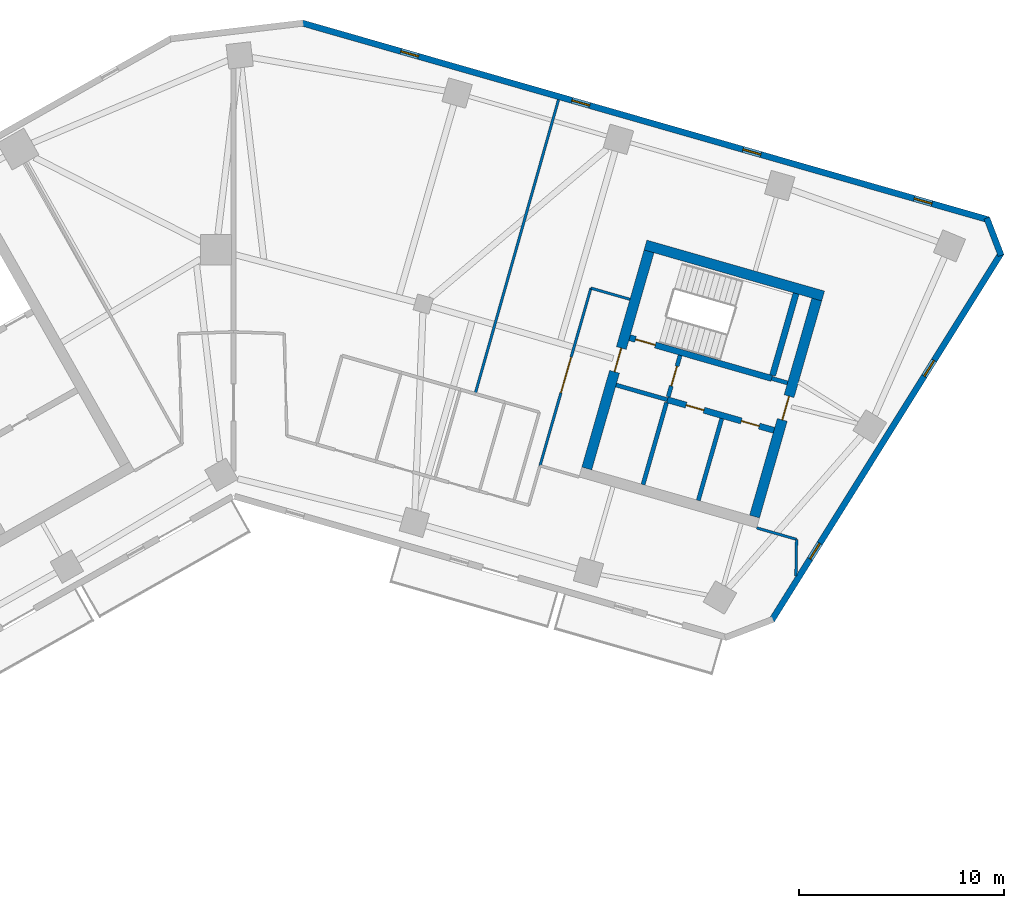
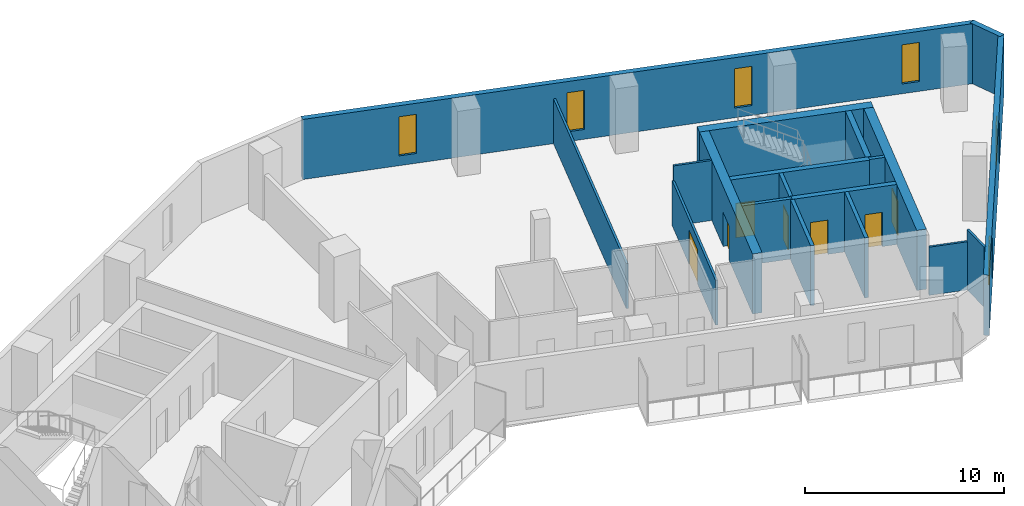
# One storey, part 6 of 9: 19 walls, 7 doors, 6 windows, 13 openings.
"""IFC4 building model written with IfcOpenShell, lengths in metres."""

from ifc_helpers import new_model, si_unit, direction, frame, frame_2d, origin, place, context, subcontext, project, spatial, rectangle, extrude, material, layer, layer_set, type_object, element, fill, save


model = new_model("IFC4")

# Units and contexts
model_context = context("Model", 3, precision=1e-05, world=origin(), true_north=direction((0.0, 1.0)))
body_context = subcontext(model_context, "Body", "Model", "MODEL_VIEW")
ifc_project = project(units=[si_unit("LENGTHUNIT", "METRE"), si_unit("AREAUNIT", "SQUARE_METRE"), si_unit("VOLUMEUNIT", "CUBIC_METRE"), si_unit("PLANEANGLEUNIT", "RADIAN"), si_unit("MASSUNIT", "GRAM", prefix="KILO")], contexts=[model_context])

# Site, building, storey
site_placement = place(None, origin())
site = spatial("IfcSite", under=ifc_project, at=site_placement, CompositionType="ELEMENT")
building_placement = place(site_placement, origin())
building = spatial("IfcBuilding", under=site, at=building_placement, Name="Binnacle Exchange Tower", CompositionType="ELEMENT")
storey_placement = place(building_placement, frame((0.0, 0.0, 158.89990234375)))
storey = spatial("IfcBuildingStorey", under=building, at=storey_placement, Name="L33", CompositionType="ELEMENT", Elevation=158.89990234375)

# Wall
ifc_material_1 = material(Name="Gypsum partition fire rated")
ifc_layer_1 = layer(ifc_material_1, 0.199951171875)
ifc_layer_set_1 = layer_set([ifc_layer_1], Name="Core partition 200")
wall_type_1 = type_object("IfcWallType", Name="Core partition 200", PredefinedType="PARTITIONING", material=ifc_layer_set_1)
wall_1_placement = place(storey_placement, frame((22.63720703125, 47.787353515625, 0.0), z_axis=(0.0, 0.0, 1.0), x_axis=(0.275614546295, 0.961268236171, 0.0)))
element("IfcWall", 1, at=wall_1_placement, inside=storey, type_object=wall_type_1, Name="Core wall CRWD10", PredefinedType="PARTITIONING", context=body_context, shape_type="SweptSolid", body=[
    extrude(rectangle(XDim=4.14990234375, YDim=0.199951171875, at=frame_2d((2.074951171875, 0.0))), origin(), (0.0, 0.0, 1.0), 3.68017578125),
])

# Wall, openings, doors
ifc_material_2 = material(Name="Concrete C70/85", Category="concrete")
ifc_layer_2 = layer(ifc_material_2, 0.300048828125)
ifc_layer_set_2 = layer_set([ifc_layer_2], Name="Core wall - front 300")
wall_type_2 = type_object("IfcWallType", Name="Core wall - front 300", PredefinedType="SOLIDWALL", material=ifc_layer_set_2)
wall_2_placement = place(storey_placement, frame((21.130859375, 52.6923828125, 0.0), z_axis=(0.0, 0.0, 1.0), x_axis=(0.961271043721, -0.27560475414, 0.0)))
wall_2 = element("IfcWall", 2, at=wall_2_placement, inside=storey, type_object=wall_type_2, Name="Core wall CRWD3", PredefinedType="SOLIDWALL", context=body_context, shape_type="SweptSolid", body=[
    extrude(rectangle(XDim=5.400146484375, YDim=0.300048828125, at=frame_2d((2.7001953125, 0.0))), origin(), (0.0, 0.0, 1.0), 3.68017578125),
])
opening_1_placement = place(wall_2_placement, frame((0.949951171875, 0.0, 0.0)))
opening_1 = element("IfcOpeningElement", 3, at=opening_1_placement, cuts=wall_2, Name="Opening DD10", PredefinedType="OPENING", context=body_context, shape_type="SweptSolid", body=[
    extrude(rectangle(XDim=0.89990234375, YDim=2.10009765625, at=frame_2d((0.449951171875, 1.050048828125))), frame((0.0, 0.159912109375, 0.0), z_axis=(0.0, -1.0, 0.0), x_axis=(1.0, 0.0, 0.0)), (0.0, 0.0, 1.0), 0.320068359375),
])
opening_2_placement = place(wall_2_placement, frame((3.75, 0.0, 0.0)))
opening_2 = element("IfcOpeningElement", 4, at=opening_2_placement, cuts=wall_2, Name="Opening DD11", PredefinedType="OPENING", context=body_context, shape_type="SweptSolid", body=[
    extrude(rectangle(XDim=0.89990234375, YDim=2.10009765625, at=frame_2d((0.449951171875, 1.050048828125))), frame((0.0, 0.159912109375, 0.0), z_axis=(0.0, -1.0, 0.0), x_axis=(1.0, 0.0, 0.0)), (0.0, 0.0, 1.0), 0.320068359375),
])
ifc_material_3 = material(Name="Steel door leaf", Category="steel")
door_type_1 = type_object("IfcDoorType", Name="Fire door 900", OperationType="NOTDEFINED", PredefinedType="DOOR", material=ifc_material_3)
door_1_placement = place(opening_1_placement, frame((0.89990234375, 0.0, 0.0), z_axis=(0.0, 0.0, 1.0), x_axis=(-1.0, 0.0, 0.0)))
door_1 = element("IfcDoor", 5, at=door_1_placement, inside=storey, type_object=door_type_1, Name="Core room door COMMS RISER ROOM", OperationType="SINGLE_SWING_RIGHT", OverallHeight=2.10009765625, OverallWidth=0.89990234375, PredefinedType="DOOR", context=body_context, shape_type="SweptSolid", body=[
    extrude(rectangle(XDim=0.89990234375, YDim=2.10009765625, at=frame_2d((0.449951171875, 1.050048828125))), frame((0.0, 0.02490234375, 0.0), z_axis=(0.0, -1.0, 0.0), x_axis=(1.0, 0.0, 0.0)), (0.0, 0.0, 1.0), 0.050048828125),
])
fill(opening_1, door_1)
door_2_placement = place(opening_2_placement, frame((0.89990234375, 0.0, 0.0), z_axis=(0.0, 0.0, 1.0), x_axis=(-1.0, 0.0, 0.0)))
door_2 = element("IfcDoor", 6, at=door_2_placement, inside=storey, type_object=door_type_1, Name="Core room door CLEANERS STORE", OperationType="SINGLE_SWING_LEFT", OverallHeight=2.10009765625, OverallWidth=0.89990234375, PredefinedType="DOOR", context=body_context, shape_type="SweptSolid", body=[
    extrude(rectangle(XDim=0.89990234375, YDim=2.10009765625, at=frame_2d((0.449951171875, 1.050048828125))), frame((0.0, 0.02490234375, 0.0), z_axis=(0.0, -1.0, 0.0), x_axis=(1.0, 0.0, 0.0)), (0.0, 0.0, 1.0), 0.050048828125),
])
fill(opening_2, door_2)

# Wall
ifc_layer_3 = layer(ifc_material_2, 0.5)
ifc_layer_set_3 = layer_set([ifc_layer_3], Name="Core wall - outer 500")
wall_type_3 = type_object("IfcWallType", Name="Core wall - outer 500", PredefinedType="SOLIDWALL", material=ifc_layer_set_3)
wall_3_placement = place(storey_placement, frame((20.066650390625, 60.227783203125, 0.0), z_axis=(0.0, 0.0, 1.0), x_axis=(0.96126248289, -0.275634611374, 0.0)))
element("IfcWall", 7, at=wall_3_placement, inside=storey, type_object=wall_type_3, Name="Core wall CRWD6", PredefinedType="SOLIDWALL", context=body_context, shape_type="SweptSolid", body=[
    extrude(rectangle(XDim=9.0, YDim=0.5, at=frame_2d((4.5, 0.0))), origin(), (0.0, 0.0, 1.0), 3.68017578125),
])

# Wall, opening, door
wall_4_placement = place(storey_placement, frame((17.2060546875, 49.344482421875, 0.0), z_axis=(0.0, 0.0, 1.0), x_axis=(0.275632651182, 0.961263044958, 0.0)))
wall_4 = element("IfcWall", 8, at=wall_4_placement, inside=storey, type_object=wall_type_3, Name="Core wall CRWD7", PredefinedType="SOLIDWALL", context=body_context, shape_type="SweptSolid", body=[
    extrude(rectangle(XDim=11.0, YDim=0.5, at=frame_2d((5.5, 0.0))), origin(), (0.0, 0.0, 1.0), 3.68017578125),
])
opening_3_placement = place(wall_4_placement, frame((4.89990234375, 0.0, 0.0)))
opening_3 = element("IfcOpeningElement", 9, at=opening_3_placement, cuts=wall_4, Name="Opening DD5", PredefinedType="OPENING", context=body_context, shape_type="SweptSolid", body=[
    extrude(rectangle(XDim=1.199951171875, YDim=2.10009765625, at=frame_2d((0.60009765625, 1.050048828125))), frame((0.0, 0.260009765625, 0.0), z_axis=(0.0, -1.0, 0.0), x_axis=(1.0, 0.0, 0.0)), (0.0, 0.0, 1.0), 0.52001953125),
])
door_type_2 = type_object("IfcDoorType", Name="Fire door 1200", OperationType="NOTDEFINED", PredefinedType="DOOR", material=ifc_material_3)
door_3_placement = place(opening_3_placement, origin())
door_3 = element("IfcDoor", 10, at=door_3_placement, inside=storey, type_object=door_type_2, Name="Vestibule exit door VEST-W", OperationType="SINGLE_SWING_LEFT", OverallHeight=2.10009765625, OverallWidth=1.199951171875, PredefinedType="DOOR", context=body_context, shape_type="SweptSolid", body=[
    extrude(rectangle(XDim=1.199951171875, YDim=2.10009765625, at=frame_2d((0.60009765625, 1.050048828125))), frame((0.0, 0.02490234375, 0.0), z_axis=(0.0, -1.0, 0.0), x_axis=(1.0, 0.0, 0.0)), (0.0, 0.0, 1.0), 0.050048828125),
])
fill(opening_3, door_3)

wall_5_placement = place(storey_placement, frame((25.376708984375, 47.001708984375, 0.0), z_axis=(0.0, 0.0, 1.0), x_axis=(0.275632651182, 0.961263044958, 0.0)))
wall_5 = element("IfcWall", 11, at=wall_5_placement, inside=storey, type_object=wall_type_3, Name="Core wall CRWD12", PredefinedType="SOLIDWALL", context=body_context, shape_type="SweptSolid", body=[
    extrude(rectangle(XDim=11.0, YDim=0.5, at=frame_2d((5.5, 0.0))), origin(), (0.0, 0.0, 1.0), 3.68017578125),
])
opening_4_placement = place(wall_5_placement, frame((4.89990234375, 0.0, 0.0)))
opening_4 = element("IfcOpeningElement", 12, at=opening_4_placement, cuts=wall_5, Name="Opening DD6", PredefinedType="OPENING", context=body_context, shape_type="SweptSolid", body=[
    extrude(rectangle(XDim=1.199951171875, YDim=2.10009765625, at=frame_2d((0.60009765625, 1.050048828125))), frame((0.0, 0.260009765625, 0.0), z_axis=(0.0, -1.0, 0.0), x_axis=(1.0, 0.0, 0.0)), (0.0, 0.0, 1.0), 0.52001953125),
])
door_4_placement = place(opening_4_placement, frame((1.199951171875, 0.0, 0.0), z_axis=(0.0, 0.0, 1.0), x_axis=(-1.0, 0.0, 0.0)))
door_4 = element("IfcDoor", 13, at=door_4_placement, inside=storey, type_object=door_type_2, Name="Core passage exit door", OperationType="SINGLE_SWING_RIGHT", OverallHeight=2.10009765625, OverallWidth=1.199951171875, PredefinedType="DOOR", context=body_context, shape_type="SweptSolid", body=[
    extrude(rectangle(XDim=1.199951171875, YDim=2.10009765625, at=frame_2d((0.60009765625, 1.050048828125))), frame((0.0, 0.02490234375, 0.0), z_axis=(0.0, -1.0, 0.0), x_axis=(1.0, 0.0, 0.0)), (0.0, 0.0, 1.0), 0.050048828125),
])
fill(opening_4, door_4)

ifc_layer_4 = layer(ifc_material_2, 0.300048828125)
ifc_layer_set_4 = layer_set([ifc_layer_4], Name="Core wall - stair 300")
wall_type_4 = type_object("IfcWallType", Name="Core wall - stair 300", PredefinedType="SOLIDWALL", material=ifc_layer_set_4)
wall_6_placement = place(storey_placement, frame((19.293212890625, 55.71630859375, 0.0), z_axis=(0.0, 0.0, 1.0), x_axis=(0.96125862491, -0.275648065539, 0.0)))
wall_6 = element("IfcWall", 14, at=wall_6_placement, inside=storey, type_object=wall_type_4, Name="Core wall CRWD4", PredefinedType="SOLIDWALL", context=body_context, shape_type="SweptSolid", body=[
    extrude(rectangle(XDim=7.199951171875, YDim=0.300048828125, at=frame_2d((3.60009765625, 0.0))), origin(), (0.0, 0.0, 1.0), 3.68017578125),
])
opening_5_placement = place(wall_6_placement, frame((0.300048828125, 0.0, 0.0)))
opening_5 = element("IfcOpeningElement", 15, at=opening_5_placement, cuts=wall_6, Name="Opening DD1", PredefinedType="OPENING", context=body_context, shape_type="SweptSolid", body=[
    extrude(rectangle(XDim=1.0, YDim=2.10009765625, at=frame_2d((0.5, 1.050048828125))), frame((0.0, 0.159912109375, 0.0), z_axis=(0.0, -1.0, 0.0), x_axis=(1.0, 0.0, 0.0)), (0.0, 0.0, 1.0), 0.320068359375),
])
door_type_3 = type_object("IfcDoorType", Name="Fire door 1000", OperationType="NOTDEFINED", PredefinedType="DOOR", material=ifc_material_3)
door_5_placement = place(opening_5_placement, origin())
door_5 = element("IfcDoor", 16, at=door_5_placement, inside=storey, type_object=door_type_3, Name="Stair door ST-D1", OperationType="SINGLE_SWING_LEFT", OverallHeight=2.10009765625, OverallWidth=1.0, PredefinedType="DOOR", context=body_context, shape_type="SweptSolid", body=[
    extrude(rectangle(XDim=1.0, YDim=2.10009765625, at=frame_2d((0.5, 1.050048828125))), frame((0.0, 0.02490234375, 0.0), z_axis=(0.0, -1.0, 0.0), x_axis=(1.0, 0.0, 0.0)), (0.0, 0.0, 1.0), 0.050048828125),
])
fill(opening_5, door_5)

# Wall
wall_7_placement = place(storey_placement, frame((26.255615234375, 53.875732421875, 0.0), z_axis=(0.0, 0.0, 1.0), x_axis=(0.275614546295, 0.961268236171, 0.0)))
element("IfcWall", 17, at=wall_7_placement, inside=storey, type_object=wall_type_4, Name="Core wall CRWD11", PredefinedType="SOLIDWALL", context=body_context, shape_type="SweptSolid", body=[
    extrude(rectangle(XDim=4.14990234375, YDim=0.300048828125, at=frame_2d((2.074951171875, 0.0))), origin(), (0.0, 0.0, 1.0), 3.68017578125),
])

# Wall, openings, windows
ifc_material_4 = material(Name="Bronze aluminium cladding", Category="aluminium")
ifc_layer_5 = layer(ifc_material_4, 0.300048828125)
ifc_layer_set_5 = layer_set([ifc_layer_5], Name="External wall - spandrel 300")
wall_type_5 = type_object("IfcWallType", Name="External wall - spandrel 300", PredefinedType="STANDARD", material=ifc_layer_set_5)
wall_8_placement = place(storey_placement, frame((37.39892578125, 59.850830078125, 0.0), z_axis=(0.0, 0.0, 1.0), x_axis=(-0.529919986982, -0.848047644532, 0.0)))
wall_8 = element("IfcWall", 18, at=wall_8_placement, inside=storey, type_object=wall_type_5, Name="External wall EW-G04 L33", PredefinedType="STANDARD", context=body_context, shape_type="SweptSolid", body=[
    extrude(rectangle(XDim=21.125, YDim=0.300048828125, at=frame_2d((10.5625, 0.0))), origin(), (0.0, 0.0, 1.0), 3.68017578125),
])
opening_6_placement = place(wall_8_placement, frame((16.687255859375, 0.0, 0.60009765625)))
opening_6 = element("IfcOpeningElement", 19, at=opening_6_placement, cuts=wall_8, Name="Opening WS3", PredefinedType="OPENING", context=body_context, shape_type="SweptSolid", body=[
    extrude(rectangle(XDim=0.89990234375, YDim=2.39990234375, at=frame_2d((0.449951171875, 1.199951171875))), frame((0.0, 0.159912109375, 0.0), z_axis=(0.0, -1.0, 0.0), x_axis=(1.0, 0.0, 0.0)), (0.0, 0.0, 1.0), 0.320068359375),
])
opening_7_placement = place(wall_8_placement, frame((6.187255859375, 0.0, 0.60009765625)))
opening_7 = element("IfcOpeningElement", 20, at=opening_7_placement, cuts=wall_8, Name="Opening WS3", PredefinedType="OPENING", context=body_context, shape_type="SweptSolid", body=[
    extrude(rectangle(XDim=0.89990234375, YDim=2.39990234375, at=frame_2d((0.449951171875, 1.199951171875))), frame((0.0, 0.159912109375, 0.0), z_axis=(0.0, -1.0, 0.0), x_axis=(1.0, 0.0, 0.0)), (0.0, 0.0, 1.0), 0.320068359375),
])
ifc_material_5 = material(Name="Bronze anodised aluminium frame", Category="aluminium")
window_type = type_object("IfcWindowType", Name="WS3 WINDOW 900x2400", PartitioningType="SINGLE_PANEL", PredefinedType="WINDOW", material=ifc_material_5)
window_1_placement = place(opening_6_placement, origin())
window_1 = element("IfcWindow", 21, at=window_1_placement, inside=storey, type_object=window_type, Name="Window WS3 L33", OverallHeight=2.39990234375, OverallWidth=0.89990234375, PartitioningType="SINGLE_PANEL", PredefinedType="WINDOW", context=body_context, shape_type="SweptSolid", body=[
    extrude(rectangle(XDim=0.89990234375, YDim=2.39990234375, at=frame_2d((0.449951171875, 1.199951171875))), frame((0.0, 0.030029296875, 0.0), z_axis=(0.0, -1.0, 0.0), x_axis=(1.0, 0.0, 0.0)), (0.0, 0.0, 1.0), 0.06005859375),
])
fill(opening_6, window_1)
window_2_placement = place(opening_7_placement, origin())
window_2 = element("IfcWindow", 22, at=window_2_placement, inside=storey, type_object=window_type, Name="Window WS3 L33", OverallHeight=2.39990234375, OverallWidth=0.89990234375, PartitioningType="SINGLE_PANEL", PredefinedType="WINDOW", context=body_context, shape_type="SweptSolid", body=[
    extrude(rectangle(XDim=0.89990234375, YDim=2.39990234375, at=frame_2d((0.449951171875, 1.199951171875))), frame((0.0, 0.030029296875, 0.0), z_axis=(0.0, -1.0, 0.0), x_axis=(1.0, 0.0, 0.0)), (0.0, 0.0, 1.0), 0.06005859375),
])
fill(opening_7, window_2)

# Wall
wall_9_placement = place(storey_placement, frame((36.685546875, 61.542724609375, 0.0), z_axis=(0.0, 0.0, 1.0), x_axis=(0.358284408222, -0.933612490718, 0.0)))
element("IfcWall", 23, at=wall_9_placement, inside=storey, type_object=wall_type_5, Name="External wall EW-G05 L33", PredefinedType="STANDARD", context=body_context, shape_type="SweptSolid", body=[
    extrude(rectangle(XDim=1.955078125, YDim=0.300048828125, at=frame_2d((0.9775390625, 0.0))), origin(), (0.0, 0.0, 1.0), 3.68017578125),
])

# Wall, openings, windows
wall_10_placement = place(storey_placement, frame((3.33544921875, 71.043701171875, 0.0), z_axis=(0.0, 0.0, 1.0), x_axis=(0.961261395375, -0.275638404002, 0.0)))
wall_10 = element("IfcWall", 24, at=wall_10_placement, inside=storey, type_object=wall_type_5, Name="External wall EW-G06 L33", PredefinedType="STANDARD", context=body_context, shape_type="SweptSolid", body=[
    extrude(rectangle(XDim=34.796630859375, YDim=0.300048828125, at=frame_2d((17.3984375, 0.0))), origin(), (0.0, 0.0, 1.0), 3.68017578125),
])
opening_8_placement = place(wall_10_placement, frame((31.01953125, 0.0, 0.60009765625)))
opening_8 = element("IfcOpeningElement", 25, at=opening_8_placement, cuts=wall_10, Name="Opening WS3", PredefinedType="OPENING", context=body_context, shape_type="SweptSolid", body=[
    extrude(rectangle(XDim=0.89990234375, YDim=2.39990234375, at=frame_2d((0.449951171875, 1.199951171875))), frame((0.0, 0.159912109375, 0.0), z_axis=(0.0, -1.0, 0.0), x_axis=(1.0, 0.0, 0.0)), (0.0, 0.0, 1.0), 0.320068359375),
])
opening_9_placement = place(wall_10_placement, frame((22.3466796875, 0.0, 0.60009765625)))
opening_9 = element("IfcOpeningElement", 26, at=opening_9_placement, cuts=wall_10, Name="Opening WS3", PredefinedType="OPENING", context=body_context, shape_type="SweptSolid", body=[
    extrude(rectangle(XDim=0.89990234375, YDim=2.39990234375, at=frame_2d((0.449951171875, 1.199951171875))), frame((0.0, 0.159912109375, 0.0), z_axis=(0.0, -1.0, 0.0), x_axis=(1.0, 0.0, 0.0)), (0.0, 0.0, 1.0), 0.320068359375),
])
opening_10_placement = place(wall_10_placement, frame((13.673583984375, 0.0, 0.60009765625)))
opening_10 = element("IfcOpeningElement", 27, at=opening_10_placement, cuts=wall_10, Name="Opening WS3", PredefinedType="OPENING", context=body_context, shape_type="SweptSolid", body=[
    extrude(rectangle(XDim=0.89990234375, YDim=2.39990234375, at=frame_2d((0.449951171875, 1.199951171875))), frame((0.0, 0.159912109375, 0.0), z_axis=(0.0, -1.0, 0.0), x_axis=(1.0, 0.0, 0.0)), (0.0, 0.0, 1.0), 0.320068359375),
])
opening_11_placement = place(wall_10_placement, frame((5.000732421875, 0.0, 0.60009765625)))
opening_11 = element("IfcOpeningElement", 28, at=opening_11_placement, cuts=wall_10, Name="Opening WS3", PredefinedType="OPENING", context=body_context, shape_type="SweptSolid", body=[
    extrude(rectangle(XDim=0.89990234375, YDim=2.39990234375, at=frame_2d((0.449951171875, 1.199951171875))), frame((0.0, 0.159912109375, 0.0), z_axis=(0.0, -1.0, 0.0), x_axis=(1.0, 0.0, 0.0)), (0.0, 0.0, 1.0), 0.320068359375),
])
window_3_placement = place(opening_8_placement, origin())
window_3 = element("IfcWindow", 29, at=window_3_placement, inside=storey, type_object=window_type, Name="Window WS3 L33", OverallHeight=2.39990234375, OverallWidth=0.89990234375, PartitioningType="SINGLE_PANEL", PredefinedType="WINDOW", context=body_context, shape_type="SweptSolid", body=[
    extrude(rectangle(XDim=0.89990234375, YDim=2.39990234375, at=frame_2d((0.449951171875, 1.199951171875))), frame((0.0, 0.030029296875, 0.0), z_axis=(0.0, -1.0, 0.0), x_axis=(1.0, 0.0, 0.0)), (0.0, 0.0, 1.0), 0.06005859375),
])
fill(opening_8, window_3)
window_4_placement = place(opening_9_placement, origin())
window_4 = element("IfcWindow", 30, at=window_4_placement, inside=storey, type_object=window_type, Name="Window WS3 L33", OverallHeight=2.39990234375, OverallWidth=0.89990234375, PartitioningType="SINGLE_PANEL", PredefinedType="WINDOW", context=body_context, shape_type="SweptSolid", body=[
    extrude(rectangle(XDim=0.89990234375, YDim=2.39990234375, at=frame_2d((0.449951171875, 1.199951171875))), frame((0.0, 0.030029296875, 0.0), z_axis=(0.0, -1.0, 0.0), x_axis=(1.0, 0.0, 0.0)), (0.0, 0.0, 1.0), 0.06005859375),
])
fill(opening_9, window_4)
window_5_placement = place(opening_10_placement, origin())
window_5 = element("IfcWindow", 31, at=window_5_placement, inside=storey, type_object=window_type, Name="Window WS3 L33", OverallHeight=2.39990234375, OverallWidth=0.89990234375, PartitioningType="SINGLE_PANEL", PredefinedType="WINDOW", context=body_context, shape_type="SweptSolid", body=[
    extrude(rectangle(XDim=0.89990234375, YDim=2.39990234375, at=frame_2d((0.449951171875, 1.199951171875))), frame((0.0, 0.030029296875, 0.0), z_axis=(0.0, -1.0, 0.0), x_axis=(1.0, 0.0, 0.0)), (0.0, 0.0, 1.0), 0.06005859375),
])
fill(opening_10, window_5)
window_6_placement = place(opening_11_placement, origin())
window_6 = element("IfcWindow", 32, at=window_6_placement, inside=storey, type_object=window_type, Name="Window WS3 L33", OverallHeight=2.39990234375, OverallWidth=0.89990234375, PartitioningType="SINGLE_PANEL", PredefinedType="WINDOW", context=body_context, shape_type="SweptSolid", body=[
    extrude(rectangle(XDim=0.89990234375, YDim=2.39990234375, at=frame_2d((0.449951171875, 1.199951171875))), frame((0.0, 0.030029296875, 0.0), z_axis=(0.0, -1.0, 0.0), x_axis=(1.0, 0.0, 0.0)), (0.0, 0.0, 1.0), 0.06005859375),
])
fill(opening_11, window_6)

# Wall, opening, door
ifc_material_6 = material(Name="Masonry block wall", Category="masonry")
ifc_layer_6 = layer(ifc_material_6, 0.199951171875)
ifc_layer_set_6 = layer_set([ifc_layer_6], Name="Fire wall - vestibule 200")
wall_type_6 = type_object("IfcWallType", Name="Fire wall - vestibule 200", PredefinedType="PARTITIONING", material=ifc_layer_set_6)
wall_11_placement = place(storey_placement, frame((21.172119140625, 52.836669921875, 0.0), z_axis=(0.0, 0.0, 1.0), x_axis=(0.275657676022, 0.961255868981, 0.0)))
wall_11 = element("IfcWall", 33, at=wall_11_placement, inside=storey, type_object=wall_type_6, Name="Core wall CRWD9", PredefinedType="PARTITIONING", context=body_context, shape_type="SweptSolid", body=[
    extrude(rectangle(XDim=2.099853515625, YDim=0.199951171875, at=frame_2d((1.0498046875, 0.0))), origin(), (0.0, 0.0, 1.0), 3.68017578125),
])
opening_12_placement = place(wall_11_placement, frame((0.550048828125, 0.0, 0.0)))
opening_12 = element("IfcOpeningElement", 34, at=opening_12_placement, cuts=wall_11, Name="Opening DD3", PredefinedType="OPENING", context=body_context, shape_type="SweptSolid", body=[
    extrude(rectangle(XDim=1.0, YDim=2.10009765625, at=frame_2d((0.5, 1.050048828125))), frame((0.0, 0.10986328125, 0.0), z_axis=(0.0, -1.0, 0.0), x_axis=(1.0, 0.0, 0.0)), (0.0, 0.0, 1.0), 0.219970703125),
])
door_6_placement = place(opening_12_placement, origin())
door_6 = element("IfcDoor", 35, at=door_6_placement, inside=storey, type_object=door_type_3, Name="Vestibule door VEST-W", OperationType="SINGLE_SWING_RIGHT", OverallHeight=2.10009765625, OverallWidth=1.0, PredefinedType="DOOR", context=body_context, shape_type="SweptSolid", body=[
    extrude(rectangle(XDim=1.0, YDim=2.10009765625, at=frame_2d((0.5, 1.050048828125))), frame((0.0, 0.02490234375, 0.0), z_axis=(0.0, -1.0, 0.0), x_axis=(1.0, 0.0, 0.0)), (0.0, 0.0, 1.0), 0.050048828125),
])
fill(opening_12, door_6)

# Wall
ifc_material_7 = material(Name="Gypsum partition")
ifc_layer_7 = layer(ifc_material_7, 0.125)
ifc_layer_set_7 = layer_set([ifc_layer_7], Name="Partition 125")
wall_type_7 = type_object("IfcWallType", Name="Partition 125", PredefinedType="PARTITIONING", material=ifc_layer_set_7)
wall_12_placement = place(storey_placement, frame((11.77197265625, 52.98291015625, 0.0), z_axis=(0.0, 0.0, 1.0), x_axis=(0.272554241659, 0.96214041873, 0.0)))
element("IfcWall", 36, at=wall_12_placement, inside=storey, type_object=wall_type_7, Name="Partition W27", PredefinedType="PARTITIONING", context=body_context, shape_type="SweptSolid", body=[
    extrude(rectangle(XDim=14.885498046875, YDim=0.125, at=frame_2d((7.44287109375, 0.0))), origin(), (0.0, 0.0, 1.0), 2.748046875),
])

# Wall, opening, door
wall_13_placement = place(storey_placement, frame((14.927978515625, 49.47802734375, 0.0), z_axis=(0.0, 0.0, 1.0), x_axis=(0.275674053528, 0.961251172281, 0.0)))
wall_13 = element("IfcWall", 37, at=wall_13_placement, inside=storey, type_object=wall_type_7, Name="Partition W35", PredefinedType="PARTITIONING", context=body_context, shape_type="SweptSolid", body=[
    extrude(rectangle(XDim=8.99951171875, YDim=0.125, at=frame_2d((4.499755859375, 0.0))), origin(), (0.0, 0.0, 1.0), 2.748046875),
])
opening_13_placement = place(wall_13_placement, frame((3.699951171875, 0.0, 0.0)))
opening_13 = element("IfcOpeningElement", 38, at=opening_13_placement, cuts=wall_13, Name="Opening DL32-11", PredefinedType="OPENING", context=body_context, shape_type="SweptSolid", body=[
    extrude(rectangle(XDim=1.800048828125, YDim=2.10009765625, at=frame_2d((0.89990234375, 1.050048828125))), frame((0.0, 0.072509765625, 0.0), z_axis=(0.0, -1.0, 0.0), x_axis=(1.0, 0.0, 0.0)), (0.0, 0.0, 1.0), 0.14501953125),
])
ifc_material_8 = material(Name="Timber door leaf", Category="wood")
door_type_4 = type_object("IfcDoorType", Name="Double door 1800", OperationType="NOTDEFINED", PredefinedType="DOOR", material=ifc_material_8)
door_7_placement = place(opening_13_placement, origin())
door_7 = element("IfcDoor", 39, at=door_7_placement, inside=storey, type_object=door_type_4, Name="Door DL32-11", OperationType="DOUBLE_DOOR_SINGLE_SWING", OverallHeight=2.10009765625, OverallWidth=1.800048828125, PredefinedType="DOOR", context=body_context, shape_type="SweptSolid", body=[
    extrude(rectangle(XDim=1.800048828125, YDim=2.10009765625, at=frame_2d((0.89990234375, 1.050048828125))), frame((0.0, 0.02490234375, 0.0), z_axis=(0.0, -1.0, 0.0), x_axis=(1.0, 0.0, 0.0)), (0.0, 0.0, 1.0), 0.050048828125),
])
fill(opening_13, door_7)

# Walls
wall_14_placement = place(storey_placement, frame((17.408935546875, 58.12890625, 0.0), z_axis=(0.0, 0.0, 1.0), x_axis=(0.961253165474, -0.275667103345, 0.0)))
element("IfcWall", 40, at=wall_14_placement, inside=storey, type_object=wall_type_7, Name="Partition W36", PredefinedType="PARTITIONING", context=body_context, shape_type="SweptSolid", body=[
    extrude(rectangle(XDim=1.976806640625, YDim=0.125, at=frame_2d((0.98828125, 0.0))), origin(), (0.0, 0.0, 1.0), 3.68017578125),
])
wall_15_placement = place(storey_placement, frame((25.47900390625, 46.451904296875, 0.0), z_axis=(0.0, 0.0, 1.0), x_axis=(0.961245725795, -0.275693044238, 0.0)))
element("IfcWall", 41, at=wall_15_placement, inside=storey, type_object=wall_type_7, Name="Partition W37", PredefinedType="PARTITIONING", context=body_context, shape_type="SweptSolid", body=[
    extrude(rectangle(XDim=2.0234375, YDim=0.125, at=frame_2d((1.01171875, 0.0))), origin(), (0.0, 0.0, 1.0), 2.9521484375),
])
wall_16_placement = place(storey_placement, frame((27.39111328125, 44.116943359375, 0.0), z_axis=(0.0, 0.0, 1.0), x_axis=(0.018543314717, 0.999828057958, 0.0)))
element("IfcWall", 42, at=wall_16_placement, inside=storey, type_object=wall_type_7, Name="Partition W38", PredefinedType="PARTITIONING", context=body_context, shape_type="SweptSolid", body=[
    extrude(rectangle(XDim=1.77734375, YDim=0.125, at=frame_2d((0.888671875, 0.0))), origin(), (0.0, 0.0, 1.0), 3.68017578125),
])
ifc_layer_8 = layer(ifc_material_6, 0.199951171875)
ifc_layer_set_8 = layer_set([ifc_layer_8], Name="Riser wall 200")
wall_type_8 = type_object("IfcWallType", Name="Riser wall 200", PredefinedType="SOLIDWALL", material=ifc_layer_set_8)
wall_17_placement = place(storey_placement, frame((18.631591796875, 53.4091796875, 0.0), z_axis=(0.0, 0.0, 1.0), x_axis=(0.961247078216, -0.275688328772, 0.0)))
element("IfcWall", 43, at=wall_17_placement, inside=storey, type_object=wall_type_8, Name="Core wall CRWD2", PredefinedType="SOLIDWALL", context=body_context, shape_type="SweptSolid", body=[
    extrude(rectangle(XDim=2.60009765625, YDim=0.199951171875, at=frame_2d((1.300048828125, 0.0))), origin(), (0.0, 0.0, 1.0), 3.68017578125),
])
wall_18_placement = place(storey_placement, frame((26.214111328125, 53.731689453125, 0.0), z_axis=(0.0, 0.0, 1.0), x_axis=(0.961200870072, -0.275849392554, 0.0)))
element("IfcWall", 44, at=wall_18_placement, inside=storey, type_object=wall_type_8, Name="Core wall CRWD5", PredefinedType="SOLIDWALL", context=body_context, shape_type="SweptSolid", body=[
    extrude(rectangle(XDim=0.800048828125, YDim=0.199951171875, at=frame_2d((0.39990234375, 0.0))), origin(), (0.0, 0.0, 1.0), 3.68017578125),
])
wall_19_placement = place(storey_placement, frame((19.945556640625, 48.55908203125, 0.0), z_axis=(0.0, 0.0, 1.0), x_axis=(0.275668905258, 0.961252648721, 0.0)))
element("IfcWall", 45, at=wall_19_placement, inside=storey, type_object=wall_type_8, Name="Core wall CRWD8", PredefinedType="SOLIDWALL", context=body_context, shape_type="SweptSolid", body=[
    extrude(rectangle(XDim=4.150146484375, YDim=0.199951171875, at=frame_2d((2.0751953125, 0.0))), origin(), (0.0, 0.0, 1.0), 3.68017578125),
])

save(model, "model.ifc")
